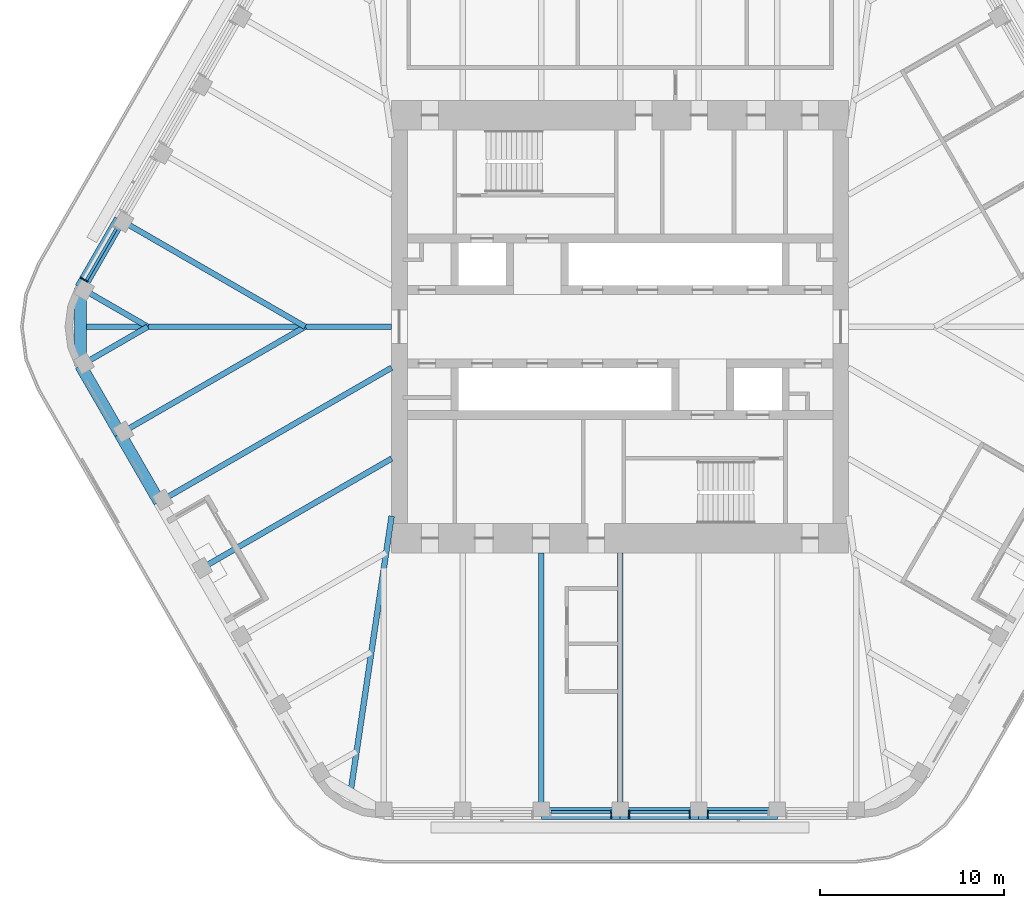
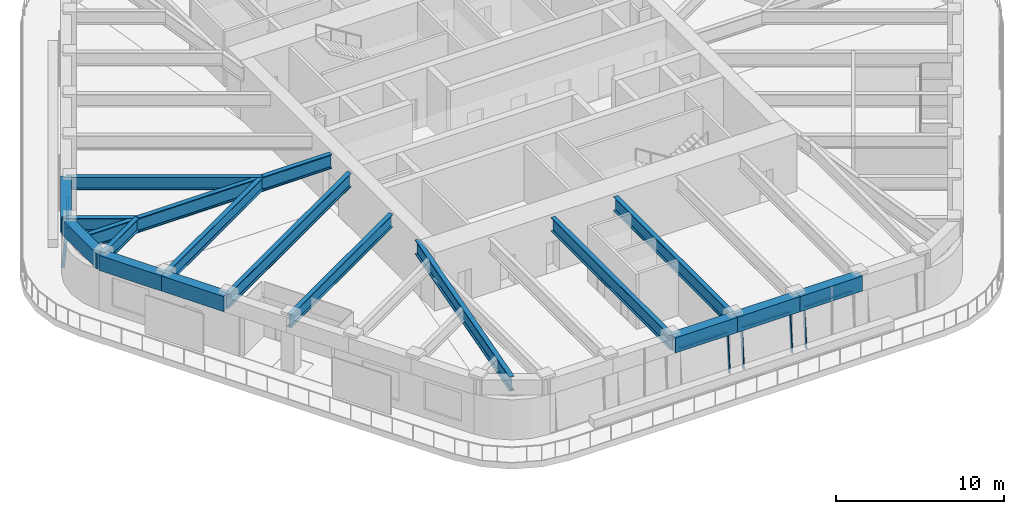
# One storey, part 3 of 19: 17 beams, 9 members, 4 elements without a shape of their own.
"""IFC4 building model written with IfcOpenShell, lengths in metres."""

from ifc_helpers import new_model, si_unit, direction, frame, origin, origin_2d, place, context, subcontext, project, spatial, rectangle, i_section, extrude, material, material_profile, profile_set, type_object, element, aggregate, save


model = new_model("IFC4")

# Units and contexts
model_context = context("Model", 3, precision=1e-05, world=origin(), true_north=direction((0.0, 1.0)))
body_context = subcontext(model_context, "Body", "Model", "MODEL_VIEW")
ifc_project = project(units=[si_unit("LENGTHUNIT", "METRE"), si_unit("AREAUNIT", "SQUARE_METRE"), si_unit("VOLUMEUNIT", "CUBIC_METRE"), si_unit("PLANEANGLEUNIT", "RADIAN"), si_unit("MASSUNIT", "GRAM", prefix="KILO")], contexts=[model_context])

# Site, building, storey
site_placement = place(None, origin())
site = spatial("IfcSite", under=ifc_project, at=site_placement, CompositionType="ELEMENT")
building_placement = place(site_placement, origin())
building = spatial("IfcBuilding", under=site, at=building_placement, Name="Tarfa Lantern Tower", CompositionType="ELEMENT")
storey_placement = place(building_placement, frame((0.0, 0.0, 366.10009765625)))
storey = spatial("IfcBuildingStorey", under=building, at=storey_placement, Name="L83", CompositionType="ELEMENT", Elevation=366.10009765625)

# Curtain wall, member
ifc_material_1 = material(Name="Aluminium framed curtain wall", Category="aluminium")
curtain_wall_type = type_object("IfcCurtainWallType", Name="CW4 CANTED GLAZING EXECUTIVE ZONE 2900", PredefinedType="USERDEFINED", material=ifc_material_1)
curtain_wall_1_placement = place(storey_placement, origin())
curtain_wall_1 = element("IfcCurtainWall", 1, at=curtain_wall_1_placement, inside=storey, type_object=curtain_wall_type, Name="CW4 NW L83", ObjectType="CURTAIN WALL", PredefinedType="USERDEFINED")
ifc_material_2 = material(Name="Aluminium mullion", Category="aluminium")
ifc_material_profile_1 = material_profile(ifc_material_2, rectangle(XDim=0.06494140625, YDim=0.199951171875, at=origin_2d()), Name="AL MULLION 65x200")
ifc_profile_set_1 = profile_set([ifc_material_profile_1], Name="Aluminium mullion")
member_type_1 = type_object("IfcMemberType", Name="CWM1 MULLION 65x200", PredefinedType="MULLION", material=ifc_profile_set_1)
member_1_placement = place(storey_placement, frame((-29.26123046875, 2.617919921875, 0.0), z_axis=(0.074316405553, -0.042945823525, 0.996309554359), x_axis=(0.500342721131, 0.865827443207, 0.0)))
member_1 = element("IfcMember", 2, at=member_1_placement, type_object=member_type_1, Name="CW4 mullion 2", PredefinedType="MULLION", context=body_context, shape_type="SweptSolid", body=[
    extrude(rectangle(XDim=0.06494140625, YDim=0.199951171875, at=origin_2d()), origin(), (0.0, 0.0, 1.0), 2.91064453125),
])

curtain_wall_2_placement = place(storey_placement, origin())
curtain_wall_2 = element("IfcCurtainWall", 3, at=curtain_wall_2_placement, inside=storey, type_object=curtain_wall_type, Name="CW4 S L83", ObjectType="CURTAIN WALL", PredefinedType="USERDEFINED")
member_2_placement = place(storey_placement, frame((-0.482421875, -26.64990234375, 0.0), z_axis=(0.0, 0.085891213166, 0.99630452147), x_axis=(-1.0, 0.0, 0.0)))
member_2 = element("IfcMember", 4, at=member_2_placement, type_object=member_type_1, Name="CW4 mullion 2", PredefinedType="MULLION", context=body_context, shape_type="SweptSolid", body=[
    extrude(rectangle(XDim=0.06494140625, YDim=0.199951171875, at=origin_2d()), origin(), (0.0, 0.0, 1.0), 2.91064453125),
])

# Curtain wall, members
curtain_wall_3_placement = place(storey_placement, origin())
curtain_wall_3 = element("IfcCurtainWall", 5, at=curtain_wall_3_placement, inside=storey, type_object=curtain_wall_type, Name="CW4 S L83", ObjectType="CURTAIN WALL", PredefinedType="USERDEFINED")
member_3_placement = place(storey_placement, frame((0.482421875, -26.64990234375, 0.0), z_axis=(0.0, 0.085891213166, 0.99630452147), x_axis=(-1.0, 0.0, 0.0)))
member_3 = element("IfcMember", 6, at=member_3_placement, type_object=member_type_1, Name="CW4 mullion 1", PredefinedType="MULLION", context=body_context, shape_type="SweptSolid", body=[
    extrude(rectangle(XDim=0.06494140625, YDim=0.199951171875, at=origin_2d()), origin(), (0.0, 0.0, 1.0), 2.91064453125),
])
member_4_placement = place(storey_placement, frame((3.799560546875, -26.64990234375, 0.0), z_axis=(0.0, 0.085891213166, 0.99630452147), x_axis=(-1.0, 0.0, 0.0)))
member_4 = element("IfcMember", 7, at=member_4_placement, type_object=member_type_1, Name="CW4 mullion 2", PredefinedType="MULLION", context=body_context, shape_type="SweptSolid", body=[
    extrude(rectangle(XDim=0.06494140625, YDim=0.199951171875, at=origin_2d()), origin(), (0.0, 0.0, 1.0), 2.91064453125),
])

# Curtain wall, member
curtain_wall_4_placement = place(storey_placement, origin())
curtain_wall_4 = element("IfcCurtainWall", 8, at=curtain_wall_4_placement, inside=storey, type_object=curtain_wall_type, Name="CW4 S L83", ObjectType="CURTAIN WALL", PredefinedType="USERDEFINED")
member_5_placement = place(storey_placement, frame((4.764404296875, -26.64990234375, 0.0), z_axis=(0.0, 0.085891213166, 0.99630452147), x_axis=(-1.0, 0.0, 0.0)))
member_5 = element("IfcMember", 9, at=member_5_placement, type_object=member_type_1, Name="CW4 mullion 1", PredefinedType="MULLION", context=body_context, shape_type="SweptSolid", body=[
    extrude(rectangle(XDim=0.06494140625, YDim=0.199951171875, at=origin_2d()), origin(), (0.0, 0.0, 1.0), 2.91064453125),
])

# Member
ifc_material_3 = material(Name="Aluminium transom", Category="aluminium")
ifc_material_profile_2 = material_profile(ifc_material_3, rectangle(XDim=0.14990234375, YDim=0.06494140625, at=origin_2d()), Name="AL TRANSOM 150x65")
ifc_profile_set_2 = profile_set([ifc_material_profile_2], Name="Aluminium transom")
member_type_2 = type_object("IfcMemberType", Name="CWT1 TRANSOM 150x65", PredefinedType="USERDEFINED", material=ifc_profile_set_2)
member_6_placement = place(storey_placement, frame((-27.405029296875, 5.338623046875, 2.867431640625), z_axis=(-0.500014901547, -0.866016800201, 0.0), x_axis=(0.866016800201, -0.500014901547, 0.0)))
member_6 = element("IfcMember", 10, at=member_6_placement, type_object=member_type_2, Name="CW4 transom 1.2", ObjectType="TRANSOM", PredefinedType="USERDEFINED", context=body_context, shape_type="SweptSolid", body=[
    extrude(rectangle(XDim=0.14990234375, YDim=0.06494140625, at=origin_2d()), origin(), (0.0, 0.0, 1.0), 3.251953125),
])

aggregate(curtain_wall_1, [member_1, member_6])

member_7_placement = place(storey_placement, frame((-3.76708984375, -26.40283203125, 2.867431640625), z_axis=(1.0, 0.0, 0.0), x_axis=(0.0, 1.0, 0.0)))
member_7 = element("IfcMember", 11, at=member_7_placement, type_object=member_type_2, Name="CW4 transom 1.2", ObjectType="TRANSOM", PredefinedType="USERDEFINED", context=body_context, shape_type="SweptSolid", body=[
    extrude(rectangle(XDim=0.14990234375, YDim=0.06494140625, at=origin_2d()), origin(), (0.0, 0.0, 1.0), 3.252197265625),
])

aggregate(curtain_wall_2, [member_2, member_7])

member_8_placement = place(storey_placement, frame((0.514892578125, -26.40283203125, 2.867431640625), z_axis=(1.0, 0.0, 0.0), x_axis=(0.0, 1.0, 0.0)))
member_8 = element("IfcMember", 12, at=member_8_placement, type_object=member_type_2, Name="CW4 transom 1.2", ObjectType="TRANSOM", PredefinedType="USERDEFINED", context=body_context, shape_type="SweptSolid", body=[
    extrude(rectangle(XDim=0.14990234375, YDim=0.06494140625, at=origin_2d()), origin(), (0.0, 0.0, 1.0), 3.252197265625),
])

aggregate(curtain_wall_3, [member_3, member_4, member_8])

member_9_placement = place(storey_placement, frame((4.797119140625, -26.40283203125, 2.867431640625), z_axis=(1.0, 0.0, 0.0), x_axis=(0.0, 1.0, 0.0)))
member_9 = element("IfcMember", 13, at=member_9_placement, type_object=member_type_2, Name="CW4 transom 1.2", ObjectType="TRANSOM", PredefinedType="USERDEFINED", context=body_context, shape_type="SweptSolid", body=[
    extrude(rectangle(XDim=0.14990234375, YDim=0.06494140625, at=origin_2d()), origin(), (0.0, 0.0, 1.0), 3.251953125),
])

aggregate(curtain_wall_4, [member_5, member_9])

# Beams
ifc_material_4 = material(Name="Concrete C80/95", Category="concrete")
ifc_material_profile_3 = material_profile(ifc_material_4, rectangle(XDim=0.64990234375, YDim=1.10009765625, at=origin_2d()), Name="RC 650x1100")
ifc_profile_set_3 = profile_set([ifc_material_profile_3], Name="Concrete C80/95")
beam_type_1 = type_object("IfcBeamType", Name="EB4 RC 650x1100", PredefinedType="SPANDREL", material=ifc_profile_set_3)
beam_1_placement = place(storey_placement, frame((-27.205810546875, 5.818359375, 3.449951171875), z_axis=(-0.499984039138, -0.866034618596, 0.0), x_axis=(0.866034618596, -0.499984039138, 0.0)))
element("IfcBeam", 14, at=beam_1_placement, inside=storey, type_object=beam_type_1, Name="Edge beam NW5", PredefinedType="SPANDREL", context=body_context, shape_type="SweptSolid", body=[
    extrude(rectangle(XDim=0.64990234375, YDim=1.10009765625, at=origin_2d()), origin(), (0.0, 0.0, 1.0), 4.281982421875),
])
beam_2_placement = place(storey_placement, frame((-29.3466796875, 2.110107421875, 3.449951171875), z_axis=(0.0, -1.0, 0.0), x_axis=(1.0, 0.0, 0.0)))
element("IfcBeam", 15, at=beam_2_placement, inside=storey, type_object=beam_type_1, Name="Edge beam NW6", PredefinedType="SPANDREL", context=body_context, shape_type="SweptSolid", body=[
    extrude(rectangle(XDim=0.64990234375, YDim=1.10009765625, at=origin_2d()), origin(), (0.0, 0.0, 1.0), 4.22021484375),
])
for number, where, z_axis, x_axis, name in (
    (16, (-29.3466796875, -2.110107421875, 3.449951171875), (0.499984039138, -0.866034618596, 0.0), (0.866034618596, 0.499984039138, 0.0), "Edge beam SW0"),
    (17, (-27.205810546875, -5.818359375, 3.449951171875), (0.500026801138, -0.866009929587, 0.0), (0.866009929587, 0.500026801138, 0.0), "Edge beam SW1"),
    (18, (-4.281982421875, -26.469970703125, 3.449951171875), (1.0, 0.0, 0.0), (0.0, 1.0, 0.0), "Edge beam S2"),
    (19, (0.0, -26.469970703125, 3.449951171875), (1.0, 0.0, 0.0), (0.0, 1.0, 0.0), "Edge beam S3"),
    (20, (4.281982421875, -26.469970703125, 3.449951171875), (1.0, 0.0, 0.0), (0.0, 1.0, 0.0), "Edge beam S4"),
):
    element("IfcBeam", number, at=place(storey_placement, frame(where, z_axis=z_axis, x_axis=x_axis)), inside=storey, type_object=beam_type_1, Name=name, PredefinedType="SPANDREL", context=body_context, shape_type="SweptSolid", body=[
        extrude(rectangle(XDim=0.64990234375, YDim=1.10009765625, at=origin_2d()), origin(), (0.0, 0.0, 1.0), 4.281982421875),
    ])
ifc_material_5 = material(Name="Steel S460M", Category="steel")
ifc_material_profile_4 = material_profile(ifc_material_5, i_section(OverallWidth=0.302001953125, OverallDepth=1.008056640625, WebThickness=0.02099609375, FlangeThickness=0.0400390625, FilletRadius=0.030029296875, at=origin_2d()), Name="UB1016x305x349")
ifc_profile_set_4 = profile_set([ifc_material_profile_4], Name="Steel S460M")
beam_type_2 = type_object("IfcBeamType", Name="UB1016x305x349", PredefinedType="BEAM", material=ifc_profile_set_4)
beam_3_placement = place(storey_placement, frame((-25.064697265625, -9.526611328125, 3.495849609375), z_axis=(0.866029591389, 0.499992746786, 0.0), x_axis=(-0.499992746786, 0.866029591389, 0.0)))
element("IfcBeam", 21, at=beam_3_placement, inside=storey, type_object=beam_type_2, Name="Floor beam SW2", PredefinedType="BEAM", context=body_context, shape_type="SweptSolid", body=[
    extrude(i_section(OverallWidth=0.302001953125, OverallDepth=1.008056640625, WebThickness=0.02099609375, FlangeThickness=0.0400390625, FilletRadius=0.030029296875, at=origin_2d()), origin(), (0.0, 0.0, 1.0), 14.594970703125),
])
for number, where, z_axis, x_axis, name in (
    (22, (-4.281982421875, -26.469970703125, 3.495849609375), (0.0, 1.0, 0.0), (-1.0, 0.0, 0.0), "Floor beam S2"),
    (23, (0.0, -26.469970703125, 3.495849609375), (0.0, 1.0, 0.0), (-1.0, 0.0, 0.0), "Floor beam S3"),
):
    element("IfcBeam", number, at=place(storey_placement, frame(where, z_axis=z_axis, x_axis=x_axis)), inside=storey, type_object=beam_type_2, Name=name, PredefinedType="BEAM", context=body_context, shape_type="SweptSolid", body=[
        extrude(i_section(OverallWidth=0.302001953125, OverallDepth=1.008056640625, WebThickness=0.02099609375, FlangeThickness=0.0400390625, FilletRadius=0.030029296875, at=origin_2d()), origin(), (0.0, 0.0, 1.0), 14.169921875),
    ])
ifc_material_profile_5 = material_profile(ifc_material_5, i_section(OverallWidth=0.30859375, OverallDepth=1.036376953125, WebThickness=0.030029296875, FlangeThickness=0.05419921875, FilletRadius=0.030029296875, at=origin_2d()), Name="UB1016x305x487")
ifc_profile_set_5 = profile_set([ifc_material_profile_5], Name="Steel S460M")
beam_type_3 = type_object("IfcBeamType", Name="UB1016x305x487", PredefinedType="BEAM", material=ifc_profile_set_5)
beam_4_placement = place(storey_placement, frame((-12.425048828125, 0.0, 3.481689453125), z_axis=(-1.0, 0.0, 0.0), x_axis=(0.0, -1.0, 0.0)))
element("IfcBeam", 24, at=beam_4_placement, inside=storey, type_object=beam_type_3, Name="Hip girder W", PredefinedType="BEAM", context=body_context, shape_type="SweptSolid", body=[
    extrude(i_section(OverallWidth=0.30859375, OverallDepth=1.036376953125, WebThickness=0.030029296875, FlangeThickness=0.05419921875, FilletRadius=0.030029296875, at=origin_2d()), origin(), (0.0, 0.0, 1.0), 16.921630859375),
])
beam_5_placement = place(storey_placement, frame((-12.425048828125, -10.300048828125, 3.481689453125), z_axis=(-0.147127069073, -0.989117599452, 0.0), x_axis=(0.989117599452, -0.147127069073, 0.0)))
element("IfcBeam", 25, at=beam_5_placement, inside=storey, type_object=beam_type_3, Name="Hip girder SW", PredefinedType="BEAM", context=body_context, shape_type="SweptSolid", body=[
    extrude(i_section(OverallWidth=0.30859375, OverallDepth=1.036376953125, WebThickness=0.030029296875, FlangeThickness=0.05419921875, FilletRadius=0.030029296875, at=origin_2d()), origin(), (0.0, 0.0, 1.0), 15.28125),
])
ifc_material_profile_6 = material_profile(ifc_material_5, i_section(OverallWidth=0.305419921875, OverallDepth=0.91845703125, WebThickness=0.017333984375, FlangeThickness=0.02783203125, FilletRadius=0.01904296875, at=origin_2d()), Name="UB914x305x253")
ifc_profile_set_6 = profile_set([ifc_material_profile_6], Name="Steel S460M")
beam_type_4 = type_object("IfcBeamType", Name="UB914x305x253", PredefinedType="BEAM", material=ifc_profile_set_6)
beam_6_placement = place(storey_placement, frame((-27.205810546875, 5.818359375, 3.540771484375), z_axis=(0.866024171998, -0.500002133511, 0.0), x_axis=(0.500002133511, 0.866024171998, 0.0)))
element("IfcBeam", 26, at=beam_6_placement, inside=storey, type_object=beam_type_4, Name="Floor beam NW5", PredefinedType="BEAM", context=body_context, shape_type="SweptSolid", body=[
    extrude(i_section(OverallWidth=0.305419921875, OverallDepth=0.91845703125, WebThickness=0.017333984375, FlangeThickness=0.02783203125, FilletRadius=0.01904296875, at=origin_2d()), origin(), (0.0, 0.0, 1.0), 11.63671875),
])
for number, where, z_axis, x_axis, name in (
    (27, (-29.3466796875, 2.110107421875, 3.540771484375), (0.866009274789, -0.500027935199, 0.0), (0.500027935199, 0.866009274789, 0.0), "Floor beam NW6"),
    (28, (-29.3466796875, -2.110107421875, 3.540771484375), (0.866009274789, 0.500027935199, 0.0), (-0.500027935199, 0.866009274789, 0.0), "Floor beam SW0"),
):
    element("IfcBeam", number, at=place(storey_placement, frame(where, z_axis=z_axis, x_axis=x_axis)), inside=storey, type_object=beam_type_4, Name=name, PredefinedType="BEAM", context=body_context, shape_type="SweptSolid", body=[
        extrude(i_section(OverallWidth=0.305419921875, OverallDepth=0.91845703125, WebThickness=0.017333984375, FlangeThickness=0.02783203125, FilletRadius=0.01904296875, at=origin_2d()), origin(), (0.0, 0.0, 1.0), 4.219970703125),
    ])
beam_7_placement = place(storey_placement, frame((-27.205810546875, -5.818359375, 3.540771484375), z_axis=(0.866024171998, 0.500002133511, 0.0), x_axis=(-0.500002133511, 0.866024171998, 0.0)))
element("IfcBeam", 29, at=beam_7_placement, inside=storey, type_object=beam_type_4, Name="Floor beam SW1", PredefinedType="BEAM", context=body_context, shape_type="SweptSolid", body=[
    extrude(i_section(OverallWidth=0.305419921875, OverallDepth=0.91845703125, WebThickness=0.017333984375, FlangeThickness=0.02783203125, FilletRadius=0.01904296875, at=origin_2d()), origin(), (0.0, 0.0, 1.0), 11.63671875),
])
beam_8_placement = place(storey_placement, frame((-22.923583984375, -13.235107421875, 3.540771484375), z_axis=(0.86601856927, 0.500011837539, 0.0), x_axis=(-0.500011837539, 0.86601856927, 0.0)))
element("IfcBeam", 30, at=beam_8_placement, inside=storey, type_object=beam_type_4, Name="Floor beam SW3", PredefinedType="BEAM", context=body_context, shape_type="SweptSolid", body=[
    extrude(i_section(OverallWidth=0.305419921875, OverallDepth=0.91845703125, WebThickness=0.017333984375, FlangeThickness=0.02783203125, FilletRadius=0.01904296875, at=origin_2d()), origin(), (0.0, 0.0, 1.0), 12.122802734375),
])

save(model, "model.ifc")
